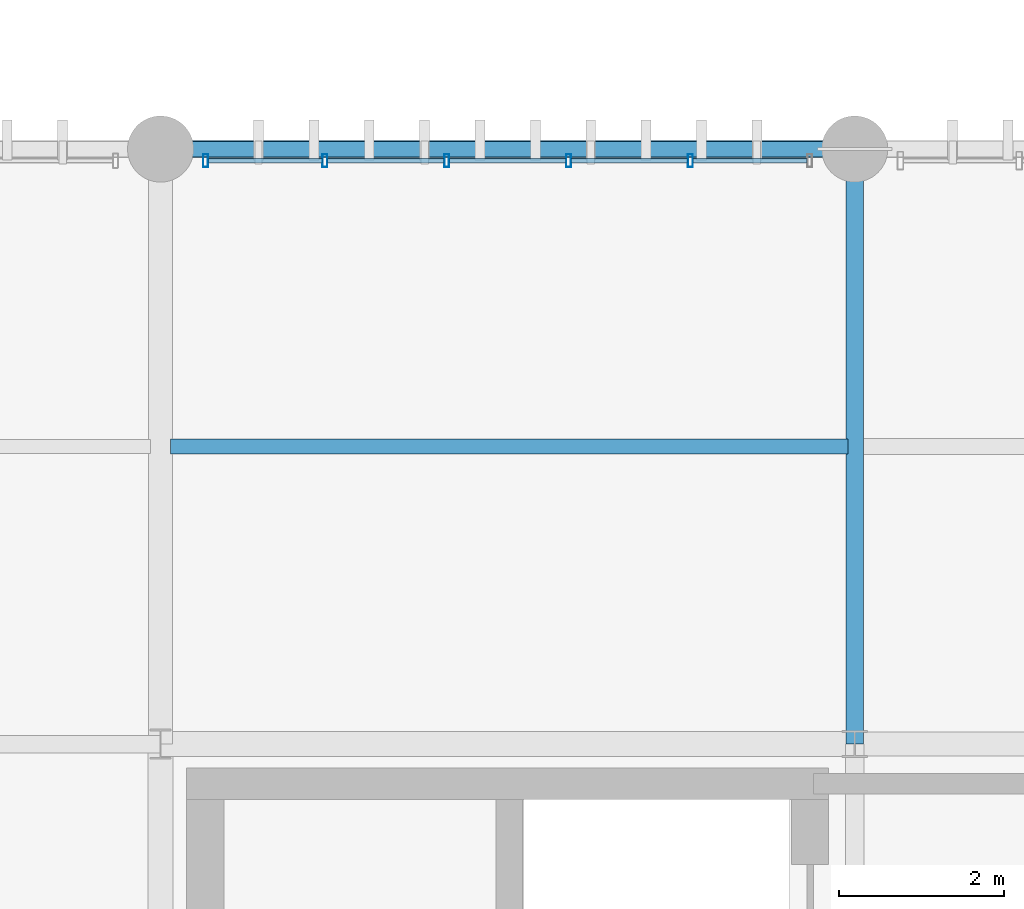
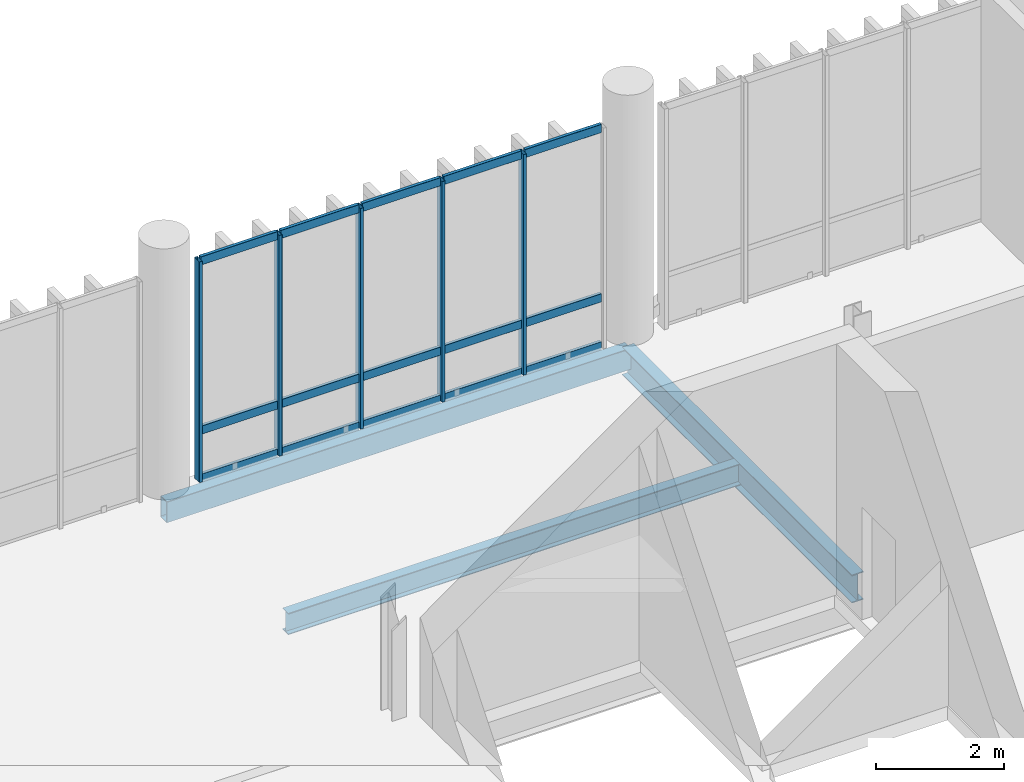
# One storey, part 34 of 94: 20 members, 3 beams, 1 element without a shape of its own.
"""IFC4 building model written with IfcOpenShell, lengths in metres."""

from ifc_helpers import new_model, si_unit, direction, frame, origin_with_axes, origin_2d_with_axis, place, context, subcontext, project, spatial, hollow_rectangle, i_section, extrude, material, material_profile, profile_set, type_object, element, aggregate, save


model = new_model("IFC4")

# Units and contexts
model_context = context("Model", 3, precision=1e-05, world=origin_with_axes(), true_north=direction((0.0, 1.0)))
body_context = subcontext(model_context, "Body", "Model", "MODEL_VIEW")
ifc_project = project(units=[si_unit("LENGTHUNIT", "METRE"), si_unit("AREAUNIT", "SQUARE_METRE"), si_unit("VOLUMEUNIT", "CUBIC_METRE"), si_unit("PLANEANGLEUNIT", "RADIAN"), si_unit("MASSUNIT", "GRAM", prefix="KILO"), si_unit("THERMODYNAMICTEMPERATUREUNIT", "KELVIN")], contexts=[model_context])

# Site, building, storey
site_placement = place(None, origin_with_axes())
site = spatial("IfcSite", under=ifc_project, at=site_placement, CompositionType="ELEMENT")
building_placement = place(site_placement, origin_with_axes())
building = spatial("IfcBuilding", under=site, at=building_placement, Name="Montbau Bow Law Courts", CompositionType="ELEMENT")
storey_placement = place(building_placement, frame((0.0, 0.0, 15.6), z_axis=(0.0, 0.0, 1.0), x_axis=(1.0, 0.0, 0.0)))
storey = spatial("IfcBuildingStorey", under=building, at=storey_placement, Name="L03", CompositionType="ELEMENT", Elevation=15.6)

# Beams
ifc_material_1 = material(Name="Steel CSA G40.21 Grade 350W (350 MPa)", Category="steel")
ifc_material_profile_1 = material_profile(ifc_material_1, i_section(OverallWidth=0.21, OverallDepth=0.537, WebThickness=0.0109, FlangeThickness=0.0174, at=origin_2d_with_axis()), Name="W530X101", Category="Main", Priority=0)
ifc_profile_set_1 = profile_set([ifc_material_profile_1], Name="Steel CSA G40.21 Grade 350W (350 MPa)")
beam_type_1 = type_object("IfcBeamType", Name="B-FLR-06", PredefinedType="BEAM", material=ifc_profile_set_1)
beam_1_placement = place(None, frame((63.6, 54.6, 15.072), z_axis=(0.0, 1.0, 0.0), x_axis=(-1.0, 0.0, 0.0)))
element("IfcBeam", 1, at=beam_1_placement, inside=storey, type_object=beam_type_1, Name="BM-L03-S0904:bm2_0907", PredefinedType="BEAM", context=body_context, shape_type="SweptSolid", body=[
    extrude(i_section(OverallWidth=0.21, OverallDepth=0.537, WebThickness=0.0109, FlangeThickness=0.0174, at=origin_2d_with_axis()), origin_with_axes(), (0.0, 0.0, 1.0), 7.2),
])
ifc_material_profile_2 = material_profile(ifc_material_1, i_section(OverallWidth=0.179, OverallDepth=0.41, WebThickness=0.0088, FlangeThickness=0.0144, at=origin_2d_with_axis()), Name="W410X67", Category="Main", Priority=0)
ifc_profile_set_2 = profile_set([ifc_material_profile_2], Name="Steel CSA G40.21 Grade 350W (350 MPa)")
beam_type_2 = type_object("IfcBeamType", Name="B-JST-02", PredefinedType="JOIST", material=ifc_profile_set_2)
beam_2_placement = place(None, frame((55.323, 58.2, 15.135), z_axis=(1.0, 0.0, 0.0), x_axis=(0.0, 1.0, 0.0)))
element("IfcBeam", 2, at=beam_2_placement, inside=storey, type_object=beam_type_2, Name="JST-L03-S0461:jst2_0461", PredefinedType="JOIST", context=body_context, shape_type="SweptSolid", body=[
    extrude(i_section(OverallWidth=0.179, OverallDepth=0.41, WebThickness=0.0088, FlangeThickness=0.0144, at=origin_2d_with_axis()), origin_with_axes(), (0.0, 0.0, 1.0), 8.196),
])
ifc_material_2 = material(Name="Steel CSA G40.21 Grade 350WT (350 MPa)", Category="steel")
ifc_material_profile_3 = material_profile(ifc_material_2, hollow_rectangle(XDim=0.203, YDim=0.406, WallThickness=0.0127, InnerFilletRadius=0.0254, OuterFilletRadius=0.0127, at=origin_2d_with_axis()), Name="HSS406X203X13", Category="Main", Priority=0)
ifc_profile_set_3 = profile_set([ifc_material_profile_3], Name="Steel CSA G40.21 Grade 350WT (350 MPa)")
beam_type_3 = type_object("IfcBeamType", Name="B-SPN-01", PredefinedType="SPANDREL", material=ifc_profile_set_3)
beam_3_placement = place(None, frame((55.2, 61.8, 15.137), z_axis=(1.0, 0.0, 0.0), x_axis=(0.0, 1.0, 0.0)))
element("IfcBeam", 3, at=beam_3_placement, inside=storey, type_object=beam_type_3, Name="SPN-L03-S0893:bm2_0896", PredefinedType="SPANDREL", context=body_context, shape_type="SweptSolid", body=[
    extrude(hollow_rectangle(XDim=0.203, YDim=0.406, WallThickness=0.0127, InnerFilletRadius=0.0254, OuterFilletRadius=0.0127, at=origin_2d_with_axis()), origin_with_axes(), (0.0, 0.0, 1.0), 8.4),
])

# Curtain wall, members
ifc_material_3 = material(Name="Thermally Broken Extruded Aluminium AA 6063-T6", Category="aluminium")
curtain_wall_type = type_object("IfcCurtainWallType", Name="CW-CRM-01", PredefinedType="NOTDEFINED", material=ifc_material_3)
curtain_wall_placement = place(None, frame((55.715, 61.66, 15.6), z_axis=(0.0, 0.0, 1.0), x_axis=(1.0, 0.0, 0.0)))
curtain_wall = element("IfcCurtainWall", 4, at=curtain_wall_placement, inside=storey, type_object=curtain_wall_type, Name="CW-L03-182:cw_0182", PredefinedType="NOTDEFINED")
ifc_material_profile_4 = material_profile(ifc_material_3, hollow_rectangle(XDim=0.06, YDim=0.16, WallThickness=0.004, InnerFilletRadius=0.008, OuterFilletRadius=0.004, at=origin_2d_with_axis()), Name="CWM-160X60", Category="Main", Priority=0)
ifc_profile_set_4 = profile_set([ifc_material_profile_4], Name="Thermally Broken Extruded Aluminium AA 6063-T6")
member_type_1 = type_object("IfcMemberType", Name="M-MUL-03", PredefinedType="MULLION", material=ifc_profile_set_4)
member_1_placement = place(None, frame((55.745, 61.66, 15.6), z_axis=(0.0, 0.0, 1.0), x_axis=(1.0, 0.0, 0.0)))
member_1 = element("IfcMember", 5, at=member_1_placement, type_object=member_type_1, Name="CW-L03-182-M01:cw_0182_M01", PredefinedType="MULLION", context=body_context, shape_type="SweptSolid", body=[
    extrude(hollow_rectangle(XDim=0.06, YDim=0.16, WallThickness=0.004, InnerFilletRadius=0.008, OuterFilletRadius=0.004, at=origin_2d_with_axis()), origin_with_axes(), (0.0, 0.0, 1.0), 4.22),
])
member_2_placement = place(None, frame((57.189, 61.66, 15.6), z_axis=(0.0, 0.0, 1.0), x_axis=(1.0, 0.0, 0.0)))
member_2 = element("IfcMember", 6, at=member_2_placement, type_object=member_type_1, Name="CW-L03-182-M02:cw_0182_M02", PredefinedType="MULLION", context=body_context, shape_type="SweptSolid", body=[
    extrude(hollow_rectangle(XDim=0.06, YDim=0.16, WallThickness=0.004, InnerFilletRadius=0.008, OuterFilletRadius=0.004, at=origin_2d_with_axis()), origin_with_axes(), (0.0, 0.0, 1.0), 4.22),
])
member_3_placement = place(None, frame((58.663, 61.66, 15.6), z_axis=(0.0, 0.0, 1.0), x_axis=(1.0, 0.0, 0.0)))
member_3 = element("IfcMember", 7, at=member_3_placement, type_object=member_type_1, Name="CW-L03-182-M03:cw_0182_M03", PredefinedType="MULLION", context=body_context, shape_type="SweptSolid", body=[
    extrude(hollow_rectangle(XDim=0.06, YDim=0.16, WallThickness=0.004, InnerFilletRadius=0.008, OuterFilletRadius=0.004, at=origin_2d_with_axis()), origin_with_axes(), (0.0, 0.0, 1.0), 4.22),
])
member_4_placement = place(None, frame((60.137, 61.66, 15.6), z_axis=(0.0, 0.0, 1.0), x_axis=(1.0, 0.0, 0.0)))
member_4 = element("IfcMember", 8, at=member_4_placement, type_object=member_type_1, Name="CW-L03-182-M04:cw_0182_M04", PredefinedType="MULLION", context=body_context, shape_type="SweptSolid", body=[
    extrude(hollow_rectangle(XDim=0.06, YDim=0.16, WallThickness=0.004, InnerFilletRadius=0.008, OuterFilletRadius=0.004, at=origin_2d_with_axis()), origin_with_axes(), (0.0, 0.0, 1.0), 4.22),
])
member_5_placement = place(None, frame((61.611, 61.66, 15.6), z_axis=(0.0, 0.0, 1.0), x_axis=(1.0, 0.0, 0.0)))
member_5 = element("IfcMember", 9, at=member_5_placement, type_object=member_type_1, Name="CW-L03-182-M05:cw_0182_M05", PredefinedType="MULLION", context=body_context, shape_type="SweptSolid", body=[
    extrude(hollow_rectangle(XDim=0.06, YDim=0.16, WallThickness=0.004, InnerFilletRadius=0.008, OuterFilletRadius=0.004, at=origin_2d_with_axis()), origin_with_axes(), (0.0, 0.0, 1.0), 4.22),
])
ifc_material_profile_5 = material_profile(ifc_material_3, hollow_rectangle(XDim=0.06, YDim=0.16, WallThickness=0.004, InnerFilletRadius=0.008, OuterFilletRadius=0.004, at=origin_2d_with_axis()), Name="CWT-160X60", Category="Main", Priority=0)
ifc_profile_set_5 = profile_set([ifc_material_profile_5], Name="Thermally Broken Extruded Aluminium AA 6063-T6")
member_type_2 = type_object("IfcMemberType", Name="M-TRN-01", PredefinedType="USERDEFINED", material=ifc_profile_set_5)
member_6_placement = place(None, frame((55.777, 61.66, 15.63), z_axis=(1.0, 0.0, 0.0), x_axis=(0.0, 1.0, 0.0)))
member_6 = element("IfcMember", 10, at=member_6_placement, type_object=member_type_2, Name="CW-L03-182-T01-1:cw_0182_T01_1", ObjectType="TRANSOM", PredefinedType="USERDEFINED", context=body_context, shape_type="SweptSolid", body=[
    extrude(hollow_rectangle(XDim=0.06, YDim=0.16, WallThickness=0.004, InnerFilletRadius=0.008, OuterFilletRadius=0.004, at=origin_2d_with_axis()), origin_with_axes(), (0.0, 0.0, 1.0), 1.38),
])
member_7_placement = place(None, frame((55.777, 61.66, 16.55), z_axis=(1.0, 0.0, 0.0), x_axis=(0.0, 1.0, 0.0)))
member_7 = element("IfcMember", 11, at=member_7_placement, type_object=member_type_2, Name="CW-L03-182-T01-2:cw_0182_T01_2", ObjectType="TRANSOM", PredefinedType="USERDEFINED", context=body_context, shape_type="SweptSolid", body=[
    extrude(hollow_rectangle(XDim=0.06, YDim=0.16, WallThickness=0.004, InnerFilletRadius=0.008, OuterFilletRadius=0.004, at=origin_2d_with_axis()), origin_with_axes(), (0.0, 0.0, 1.0), 1.38),
])
member_8_placement = place(None, frame((55.777, 61.66, 19.79), z_axis=(1.0, 0.0, 0.0), x_axis=(0.0, 1.0, 0.0)))
member_8 = element("IfcMember", 12, at=member_8_placement, type_object=member_type_2, Name="CW-L03-182-T01-3:cw_0182_T01_3", ObjectType="TRANSOM", PredefinedType="USERDEFINED", context=body_context, shape_type="SweptSolid", body=[
    extrude(hollow_rectangle(XDim=0.06, YDim=0.16, WallThickness=0.004, InnerFilletRadius=0.008, OuterFilletRadius=0.004, at=origin_2d_with_axis()), origin_with_axes(), (0.0, 0.0, 1.0), 1.38),
])
member_9_placement = place(None, frame((57.221, 61.66, 15.63), z_axis=(1.0, 0.0, 0.0), x_axis=(0.0, 1.0, 0.0)))
member_9 = element("IfcMember", 13, at=member_9_placement, type_object=member_type_2, Name="CW-L03-182-T02-1:cw_0182_T02_1", ObjectType="TRANSOM", PredefinedType="USERDEFINED", context=body_context, shape_type="SweptSolid", body=[
    extrude(hollow_rectangle(XDim=0.06, YDim=0.16, WallThickness=0.004, InnerFilletRadius=0.008, OuterFilletRadius=0.004, at=origin_2d_with_axis()), origin_with_axes(), (0.0, 0.0, 1.0), 1.41),
])
member_10_placement = place(None, frame((57.221, 61.66, 16.55), z_axis=(1.0, 0.0, 0.0), x_axis=(0.0, 1.0, 0.0)))
member_10 = element("IfcMember", 14, at=member_10_placement, type_object=member_type_2, Name="CW-L03-182-T02-2:cw_0182_T02_2", ObjectType="TRANSOM", PredefinedType="USERDEFINED", context=body_context, shape_type="SweptSolid", body=[
    extrude(hollow_rectangle(XDim=0.06, YDim=0.16, WallThickness=0.004, InnerFilletRadius=0.008, OuterFilletRadius=0.004, at=origin_2d_with_axis()), origin_with_axes(), (0.0, 0.0, 1.0), 1.41),
])
member_11_placement = place(None, frame((57.221, 61.66, 19.79), z_axis=(1.0, 0.0, 0.0), x_axis=(0.0, 1.0, 0.0)))
member_11 = element("IfcMember", 15, at=member_11_placement, type_object=member_type_2, Name="CW-L03-182-T02-3:cw_0182_T02_3", ObjectType="TRANSOM", PredefinedType="USERDEFINED", context=body_context, shape_type="SweptSolid", body=[
    extrude(hollow_rectangle(XDim=0.06, YDim=0.16, WallThickness=0.004, InnerFilletRadius=0.008, OuterFilletRadius=0.004, at=origin_2d_with_axis()), origin_with_axes(), (0.0, 0.0, 1.0), 1.41),
])
member_12_placement = place(None, frame((58.695, 61.66, 15.63), z_axis=(1.0, 0.0, 0.0), x_axis=(0.0, 1.0, 0.0)))
member_12 = element("IfcMember", 16, at=member_12_placement, type_object=member_type_2, Name="CW-L03-182-T03-1:cw_0182_T03_1", ObjectType="TRANSOM", PredefinedType="USERDEFINED", context=body_context, shape_type="SweptSolid", body=[
    extrude(hollow_rectangle(XDim=0.06, YDim=0.16, WallThickness=0.004, InnerFilletRadius=0.008, OuterFilletRadius=0.004, at=origin_2d_with_axis()), origin_with_axes(), (0.0, 0.0, 1.0), 1.41),
])
member_13_placement = place(None, frame((58.695, 61.66, 16.55), z_axis=(1.0, 0.0, 0.0), x_axis=(0.0, 1.0, 0.0)))
member_13 = element("IfcMember", 17, at=member_13_placement, type_object=member_type_2, Name="CW-L03-182-T03-2:cw_0182_T03_2", ObjectType="TRANSOM", PredefinedType="USERDEFINED", context=body_context, shape_type="SweptSolid", body=[
    extrude(hollow_rectangle(XDim=0.06, YDim=0.16, WallThickness=0.004, InnerFilletRadius=0.008, OuterFilletRadius=0.004, at=origin_2d_with_axis()), origin_with_axes(), (0.0, 0.0, 1.0), 1.41),
])
member_14_placement = place(None, frame((58.695, 61.66, 19.79), z_axis=(1.0, 0.0, 0.0), x_axis=(0.0, 1.0, 0.0)))
member_14 = element("IfcMember", 18, at=member_14_placement, type_object=member_type_2, Name="CW-L03-182-T03-3:cw_0182_T03_3", ObjectType="TRANSOM", PredefinedType="USERDEFINED", context=body_context, shape_type="SweptSolid", body=[
    extrude(hollow_rectangle(XDim=0.06, YDim=0.16, WallThickness=0.004, InnerFilletRadius=0.008, OuterFilletRadius=0.004, at=origin_2d_with_axis()), origin_with_axes(), (0.0, 0.0, 1.0), 1.41),
])
member_15_placement = place(None, frame((60.169, 61.66, 15.63), z_axis=(1.0, 0.0, 0.0), x_axis=(0.0, 1.0, 0.0)))
member_15 = element("IfcMember", 19, at=member_15_placement, type_object=member_type_2, Name="CW-L03-182-T04-1:cw_0182_T04_1", ObjectType="TRANSOM", PredefinedType="USERDEFINED", context=body_context, shape_type="SweptSolid", body=[
    extrude(hollow_rectangle(XDim=0.06, YDim=0.16, WallThickness=0.004, InnerFilletRadius=0.008, OuterFilletRadius=0.004, at=origin_2d_with_axis()), origin_with_axes(), (0.0, 0.0, 1.0), 1.41),
])
member_16_placement = place(None, frame((60.169, 61.66, 16.55), z_axis=(1.0, 0.0, 0.0), x_axis=(0.0, 1.0, 0.0)))
member_16 = element("IfcMember", 20, at=member_16_placement, type_object=member_type_2, Name="CW-L03-182-T04-2:cw_0182_T04_2", ObjectType="TRANSOM", PredefinedType="USERDEFINED", context=body_context, shape_type="SweptSolid", body=[
    extrude(hollow_rectangle(XDim=0.06, YDim=0.16, WallThickness=0.004, InnerFilletRadius=0.008, OuterFilletRadius=0.004, at=origin_2d_with_axis()), origin_with_axes(), (0.0, 0.0, 1.0), 1.41),
])
member_17_placement = place(None, frame((60.169, 61.66, 19.79), z_axis=(1.0, 0.0, 0.0), x_axis=(0.0, 1.0, 0.0)))
member_17 = element("IfcMember", 21, at=member_17_placement, type_object=member_type_2, Name="CW-L03-182-T04-3:cw_0182_T04_3", ObjectType="TRANSOM", PredefinedType="USERDEFINED", context=body_context, shape_type="SweptSolid", body=[
    extrude(hollow_rectangle(XDim=0.06, YDim=0.16, WallThickness=0.004, InnerFilletRadius=0.008, OuterFilletRadius=0.004, at=origin_2d_with_axis()), origin_with_axes(), (0.0, 0.0, 1.0), 1.41),
])
member_18_placement = place(None, frame((61.643, 61.66, 15.63), z_axis=(1.0, 0.0, 0.0), x_axis=(0.0, 1.0, 0.0)))
member_18 = element("IfcMember", 22, at=member_18_placement, type_object=member_type_2, Name="CW-L03-182-T05-1:cw_0182_T05_1", ObjectType="TRANSOM", PredefinedType="USERDEFINED", context=body_context, shape_type="SweptSolid", body=[
    extrude(hollow_rectangle(XDim=0.06, YDim=0.16, WallThickness=0.004, InnerFilletRadius=0.008, OuterFilletRadius=0.004, at=origin_2d_with_axis()), origin_with_axes(), (0.0, 0.0, 1.0), 1.38),
])
member_19_placement = place(None, frame((61.643, 61.66, 16.55), z_axis=(1.0, 0.0, 0.0), x_axis=(0.0, 1.0, 0.0)))
member_19 = element("IfcMember", 23, at=member_19_placement, type_object=member_type_2, Name="CW-L03-182-T05-2:cw_0182_T05_2", ObjectType="TRANSOM", PredefinedType="USERDEFINED", context=body_context, shape_type="SweptSolid", body=[
    extrude(hollow_rectangle(XDim=0.06, YDim=0.16, WallThickness=0.004, InnerFilletRadius=0.008, OuterFilletRadius=0.004, at=origin_2d_with_axis()), origin_with_axes(), (0.0, 0.0, 1.0), 1.38),
])
member_20_placement = place(None, frame((61.643, 61.66, 19.79), z_axis=(1.0, 0.0, 0.0), x_axis=(0.0, 1.0, 0.0)))
member_20 = element("IfcMember", 24, at=member_20_placement, type_object=member_type_2, Name="CW-L03-182-T05-3:cw_0182_T05_3", ObjectType="TRANSOM", PredefinedType="USERDEFINED", context=body_context, shape_type="SweptSolid", body=[
    extrude(hollow_rectangle(XDim=0.06, YDim=0.16, WallThickness=0.004, InnerFilletRadius=0.008, OuterFilletRadius=0.004, at=origin_2d_with_axis()), origin_with_axes(), (0.0, 0.0, 1.0), 1.38),
])
aggregate(curtain_wall, [member_1, member_2, member_3, member_4, member_5, member_6, member_7, member_8, member_9, member_10, member_11, member_12, member_13, member_14, member_15, member_16, member_17, member_18, member_19, member_20])

save(model, "model.ifc")
